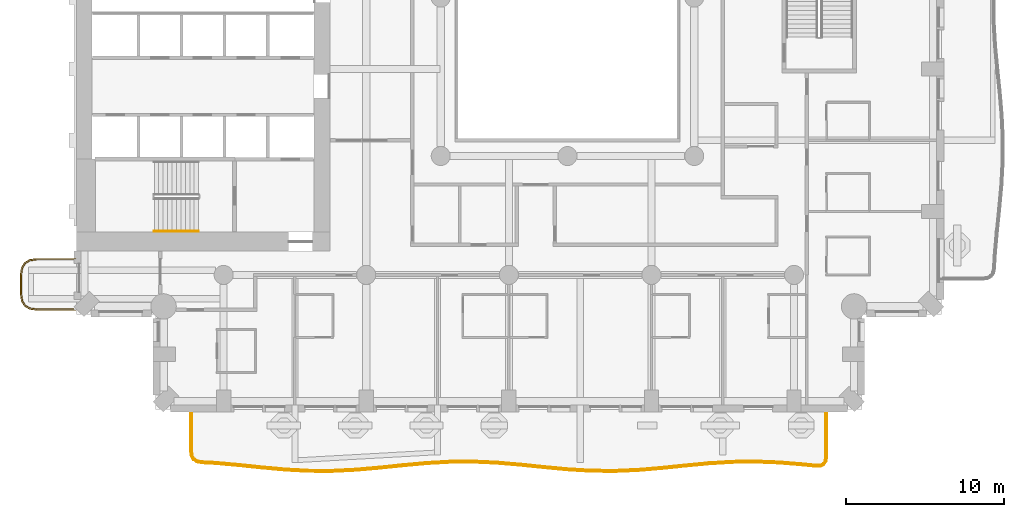
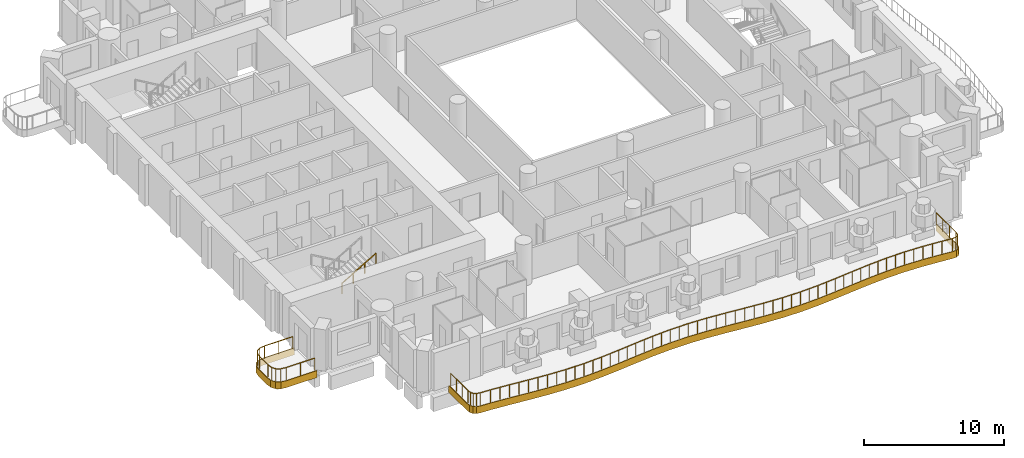
# One storey, part 13 of 20: 3 railings, 2 coverings.
"""IFC4 building model written with IfcOpenShell, lengths in metres."""

from ifc_helpers import new_model, si_unit, direction, frame, origin, origin_2d, place, context, subcontext, project, spatial, polyline, rectangle, outline, extrude, material, layer, layer_set, type_object, element, save


model = new_model("IFC4")

# Units and contexts
model_context = context("Model", 3, precision=1e-05, world=origin(), true_north=direction((0.0, 1.0)))
body_context = subcontext(model_context, "Body", "Model", "MODEL_VIEW")
ifc_project = project(units=[si_unit("LENGTHUNIT", "METRE"), si_unit("AREAUNIT", "SQUARE_METRE"), si_unit("VOLUMEUNIT", "CUBIC_METRE"), si_unit("PLANEANGLEUNIT", "RADIAN"), si_unit("MASSUNIT", "GRAM", prefix="KILO")], contexts=[model_context])

# Site, building, storey
site_placement = place(None, origin())
site = spatial("IfcSite", under=ifc_project, at=site_placement, CompositionType="ELEMENT")
building_placement = place(site_placement, origin())
building = spatial("IfcBuilding", under=site, at=building_placement, Name="Cypress Arch Tower", CompositionType="ELEMENT")
storey_placement = place(building_placement, frame((0.0, 0.0, 87.89990234375)))
storey = spatial("IfcBuildingStorey", under=building, at=storey_placement, Name="L16", CompositionType="ELEMENT", Elevation=87.89990234375)

# Coverings
ifc_material_1 = material(Name="White powder-coated aluminium fascia", Category="aluminium")
ifc_layer = layer(ifc_material_1, 0.050048828125)
ifc_layer_set = layer_set([ifc_layer], Name="Balcony fascia BF50")
covering_type = type_object("IfcCoveringType", Name="Balcony fascia BF50", PredefinedType="CLADDING", material=ifc_layer_set)
covering_1_placement = place(storey_placement, frame((0.0, 0.0, -0.599853515625)))
element("IfcCovering", 1, at=covering_1_placement, inside=storey, type_object=covering_type, Name="Balcony fascia L16-A00W1", PredefinedType="CLADDING", context=body_context, shape_type="SweptSolid", body=[
    extrude(outline(polyline([(-32.503662109375, -19.75), (-32.95458984375, -19.685546875), (-33.286376953125, -19.486328125), (-33.485595703125, -19.154541015625), (-33.550048828125, -18.70361328125), (-33.550048828125, -17.496337890625), (-33.485595703125, -17.04541015625), (-33.286376953125, -16.713623046875), (-32.95458984375, -16.514404296875), (-32.503662109375, -16.449951171875), (-30.0009765625, -16.449951171875), (-30.0009765625, -16.5), (-32.5, -16.5), (-32.9375, -16.5625), (-33.25, -16.75), (-33.4375, -17.0625), (-33.5, -17.5), (-33.5, -18.699951171875), (-33.4375, -19.137451171875), (-33.25, -19.449951171875), (-32.9375, -19.637451171875), (-32.5, -19.699951171875), (-30.0009765625, -19.699951171875), (-30.0009765625, -19.75), (-32.503662109375, -19.75)])), origin(), (0.0, 0.0, 1.0), 0.599853515625),
])
covering_2_placement = place(storey_placement, frame((0.0, 0.0, -0.599853515625)))
element("IfcCovering", 2, at=covering_2_placement, inside=storey, type_object=covering_type, Name="Balcony fascia L16-A03", PredefinedType="CLADDING", context=body_context, shape_type="SweptSolid", body=[
    extrude(outline(polyline([(17.39990234375, -28.96826171875), (17.356201171875, -29.272216796875), (17.2177734375, -29.489990234375), (16.98681640625, -29.60546875), (16.68017578125, -29.6181640625), (15.860107421875, -29.533935546875), (14.37646484375, -29.412109375), (12.893798828125, -29.352783203125), (11.4111328125, -29.37158203125), (9.927978515625, -29.463134765625), (8.44384765625, -29.60400390625), (6.958251953125, -29.7568359375), (5.4716796875, -29.8818359375), (3.984130859375, -29.94580078125), (2.496337890625, -29.931884765625), (1.00927734375, -29.84375), (-0.47705078125, -29.704833984375), (-1.962158203125, -29.55126953125), (-3.44580078125, -29.424072265625), (-4.9287109375, -29.35595703125), (-6.411376953125, -29.364990234375), (-7.89453125, -29.448974609375), (-9.37841796875, -29.585693359375), (-10.86376953125, -29.7392578125), (-12.350341796875, -29.86962890625), (-13.837646484375, -29.942138671875), (-15.325439453125, -29.937744140625), (-16.812744140625, -29.857666015625), (-18.29931640625, -29.722900390625), (-19.784423828125, -29.569091796875), (-21.268310546875, -29.436767578125), (-22.087646484375, -29.39453125), (-22.393310546875, -29.3349609375), (-22.6201171875, -29.18701171875), (-22.75634765625, -28.95263671875), (-22.800048828125, -28.64453125), (-22.800048828125, -26.0009765625), (-22.75, -26.0009765625), (-22.75, -28.64111328125), (-22.708251953125, -28.93603515625), (-22.5830078125, -29.151611328125), (-22.3740234375, -29.287841796875), (-22.081787109375, -29.3447265625), (-21.264892578125, -29.38671875), (-19.779541015625, -29.519287109375), (-18.29443359375, -29.673095703125), (-16.809326171875, -29.8076171875), (-15.323974609375, -29.8876953125), (-13.8388671875, -29.89208984375), (-12.353759765625, -29.819580078125), (-10.868408203125, -29.689453125), (-9.38330078125, -29.535888671875), (-7.898193359375, -29.399169921875), (-6.412841796875, -29.315185546875), (-4.927734375, -29.305908203125), (-3.442626953125, -29.3740234375), (-1.95751953125, -29.501708984375), (-0.47216796875, -29.655029296875), (1.012939453125, -29.7939453125), (2.498046875, -29.8818359375), (3.9833984375, -29.895751953125), (5.468505859375, -29.83203125), (6.95361328125, -29.70703125), (8.43896484375, -29.55419921875), (9.924072265625, -29.413330078125), (11.4091796875, -29.321533203125), (12.89453125, -29.302734375), (14.379638671875, -29.3623046875), (15.86474609375, -29.484130859375), (16.681640625, -29.568115234375), (16.97412109375, -29.555908203125), (17.182861328125, -29.451416015625), (17.308349609375, -29.25439453125), (17.35009765625, -28.964599609375), (17.35009765625, -26.0009765625), (17.39990234375, -26.0009765625), (17.39990234375, -28.96826171875)])), origin(), (0.0, 0.0, 1.0), 0.599853515625),
])

# Railings
ifc_material_2 = material(Name="Powder-coated steel posts and rods, 100 mm clear between rods", Category="steel")
railing_type_1 = type_object("IfcRailingType", Name="Balcony guard GR1100", PredefinedType="GUARDRAIL", material=ifc_material_2)
railing_1_placement = place(storey_placement, frame((-30.14990234375, -19.64990234375, 0.0)))
element("IfcRailing", 3, at=railing_1_placement, inside=storey, type_object=railing_type_1, Name="Balcony guard L16-A00W1", PredefinedType="GUARDRAIL", context=body_context, shape_type="SweptSolid", body=[
    extrude(rectangle(XDim=0.050048828125, YDim=0.050048828125, at=origin_2d()), frame((0.0, 0.0, 1.0751953125), z_axis=(-1.0, 0.0, 0.0), x_axis=(0.0, -1.0, 0.0)), (0.0, 0.0, 1.0), 2.346435546875),
    extrude(rectangle(XDim=0.050048828125, YDim=0.050048828125, at=origin_2d()), frame((-2.346435546875, 0.0, 1.0751953125), z_axis=(-0.989960888959, 0.141341566184, 0.0), x_axis=(-0.141341566184, -0.989960888959, 0.0)), (0.0, 0.0, 1.0), 0.428466796875),
    extrude(rectangle(XDim=0.050048828125, YDim=0.050048828125, at=origin_2d()), frame((-2.7705078125, 0.060546875, 1.0751953125), z_axis=(-0.857681904839, 0.514180659021, 0.0), x_axis=(-0.514180659021, -0.857681904839, 0.0)), (0.0, 0.0, 1.0), 0.341796875),
    extrude(rectangle(XDim=0.050048828125, YDim=0.050048828125, at=origin_2d()), frame((-3.063720703125, 0.236328125, 1.0751953125), z_axis=(-0.514180659021, 0.857681904839, 0.0), x_axis=(-0.857681904839, -0.514180659021, 0.0)), (0.0, 0.0, 1.0), 0.341796875),
    extrude(rectangle(XDim=0.050048828125, YDim=0.050048828125, at=origin_2d()), frame((-3.239501953125, 0.529541015625, 1.0751953125), z_axis=(-0.141421356237, 0.989949493661, 0.0), x_axis=(-0.989949493661, -0.141421356237, 0.0)), (0.0, 0.0, 1.0), 0.42822265625),
    extrude(rectangle(XDim=0.050048828125, YDim=0.050048828125, at=origin_2d()), frame((-3.300048828125, 0.953369140625, 1.0751953125), z_axis=(0.0, 1.0, 0.0), x_axis=(-1.0, 0.0, 0.0)), (0.0, 0.0, 1.0), 1.19287109375),
    extrude(rectangle(XDim=0.050048828125, YDim=0.050048828125, at=origin_2d()), frame((-3.300048828125, 2.146240234375, 1.0751953125), z_axis=(0.141341566184, 0.989960888959, 0.0), x_axis=(-0.989960888959, 0.141341566184, 0.0)), (0.0, 0.0, 1.0), 0.428466796875),
    extrude(rectangle(XDim=0.050048828125, YDim=0.050048828125, at=origin_2d()), frame((-3.239501953125, 2.5703125, 1.0751953125), z_axis=(0.514180659021, 0.857681904839, 0.0), x_axis=(-0.857681904839, 0.514180659021, 0.0)), (0.0, 0.0, 1.0), 0.341796875),
    extrude(rectangle(XDim=0.050048828125, YDim=0.050048828125, at=origin_2d()), frame((-3.063720703125, 2.863525390625, 1.0751953125), z_axis=(0.857681904839, 0.514180659021, 0.0), x_axis=(-0.514180659021, 0.857681904839, 0.0)), (0.0, 0.0, 1.0), 0.341796875),
    extrude(rectangle(XDim=0.050048828125, YDim=0.050048828125, at=origin_2d()), frame((-2.7705078125, 3.039306640625, 1.0751953125), z_axis=(0.989960888959, 0.141341566184, 0.0), x_axis=(-0.141341566184, 0.989960888959, 0.0)), (0.0, 0.0, 1.0), 0.428466796875),
    extrude(rectangle(XDim=0.050048828125, YDim=0.050048828125, at=origin_2d()), frame((-2.346435546875, 3.099853515625, 1.0751953125), z_axis=(1.0, 0.0, 0.0), x_axis=(0.0, 1.0, 0.0)), (0.0, 0.0, 1.0), 2.346435546875),
    extrude(rectangle(XDim=0.0400390625, YDim=0.0400390625, at=origin_2d()), origin(), (0.0, 0.0, 1.0), 1.050048828125),
    extrude(rectangle(XDim=0.0400390625, YDim=0.0400390625, at=origin_2d()), frame((-1.17333984375, 0.0, 0.0)), (0.0, 0.0, 1.0), 1.050048828125),
    extrude(rectangle(XDim=0.0400390625, YDim=0.0400390625, at=origin_2d()), frame((-2.346435546875, 0.0, 0.0)), (0.0, 0.0, 1.0), 1.050048828125),
    extrude(rectangle(XDim=0.0400390625, YDim=0.0400390625, at=origin_2d()), frame((-2.7705078125, 0.060546875, 0.0)), (0.0, 0.0, 1.0), 1.050048828125),
    extrude(rectangle(XDim=0.0400390625, YDim=0.0400390625, at=origin_2d()), frame((-3.063720703125, 0.236328125, 0.0)), (0.0, 0.0, 1.0), 1.050048828125),
    extrude(rectangle(XDim=0.0400390625, YDim=0.0400390625, at=origin_2d()), frame((-3.239501953125, 0.529541015625, 0.0)), (0.0, 0.0, 1.0), 1.050048828125),
    extrude(rectangle(XDim=0.0400390625, YDim=0.0400390625, at=origin_2d()), frame((-3.300048828125, 0.953369140625, 0.0)), (0.0, 0.0, 1.0), 1.050048828125),
    extrude(rectangle(XDim=0.0400390625, YDim=0.0400390625, at=origin_2d()), frame((-3.300048828125, 2.146240234375, 0.0)), (0.0, 0.0, 1.0), 1.050048828125),
    extrude(rectangle(XDim=0.0400390625, YDim=0.0400390625, at=origin_2d()), frame((-3.239501953125, 2.5703125, 0.0)), (0.0, 0.0, 1.0), 1.050048828125),
    extrude(rectangle(XDim=0.0400390625, YDim=0.0400390625, at=origin_2d()), frame((-3.063720703125, 2.863525390625, 0.0)), (0.0, 0.0, 1.0), 1.050048828125),
    extrude(rectangle(XDim=0.0400390625, YDim=0.0400390625, at=origin_2d()), frame((-2.7705078125, 3.039306640625, 0.0)), (0.0, 0.0, 1.0), 1.050048828125),
    extrude(rectangle(XDim=0.0400390625, YDim=0.0400390625, at=origin_2d()), frame((-2.346435546875, 3.099853515625, 0.0)), (0.0, 0.0, 1.0), 1.050048828125),
    extrude(rectangle(XDim=0.0400390625, YDim=0.0400390625, at=origin_2d()), frame((-1.17333984375, 3.099853515625, 0.0)), (0.0, 0.0, 1.0), 1.050048828125),
    extrude(rectangle(XDim=0.0400390625, YDim=0.0400390625, at=origin_2d()), frame((0.0, 3.099853515625, 0.0)), (0.0, 0.0, 1.0), 1.050048828125),
])
railing_2_placement = place(storey_placement, frame((17.300048828125, -26.14990234375, 0.0)))
element("IfcRailing", 4, at=railing_2_placement, inside=storey, type_object=railing_type_1, Name="Balcony guard L16-A03", PredefinedType="GUARDRAIL", context=body_context, shape_type="SweptSolid", body=[
    extrude(rectangle(XDim=0.050048828125, YDim=0.050048828125, at=origin_2d()), frame((0.0, 0.0, 1.0751953125), z_axis=(0.0, -1.0, 0.0), x_axis=(1.0, 0.0, 0.0)), (0.0, 0.0, 1.0), 2.811279296875),
    extrude(rectangle(XDim=0.050048828125, YDim=0.050048828125, at=origin_2d()), frame((0.0, -2.811279296875, 1.0751953125), z_axis=(-0.143018061021, -0.98972007872, 0.0), x_axis=(0.98972007872, -0.143018061021, 0.0)), (0.0, 0.0, 1.0), 0.2783203125),
    extrude(rectangle(XDim=0.050048828125, YDim=0.050048828125, at=origin_2d()), frame((-0.039794921875, -3.086669921875, 1.0751953125), z_axis=(-0.536497284338, -0.843902046388, 0.0), x_axis=(0.843902046388, -0.536497284338, 0.0)), (0.0, 0.0, 1.0), 0.208984375),
    extrude(rectangle(XDim=0.050048828125, YDim=0.050048828125, at=origin_2d()), frame((-0.15185546875, -3.262939453125, 1.0751953125), z_axis=(-0.893959883932, -0.448146991423, 0.0), x_axis=(0.448146991423, -0.893959883932, 0.0)), (0.0, 0.0, 1.0), 0.209228515625),
    extrude(rectangle(XDim=0.050048828125, YDim=0.050048828125, at=origin_2d()), frame((-0.3388671875, -3.356689453125, 1.0751953125), z_axis=(-0.999185469505, -0.040353407899, 0.0), x_axis=(0.040353407899, -0.999185469505, 0.0)), (0.0, 0.0, 1.0), 0.2783203125),
    extrude(rectangle(XDim=0.050048828125, YDim=0.050048828125, at=origin_2d()), frame((-0.616943359375, -3.367919921875, 1.0751953125), z_axis=(-0.994776777125, 0.102074304763, 0.0), x_axis=(-0.102074304763, -0.994776777125, 0.0)), (0.0, 0.0, 1.0), 0.818115234375),
    extrude(rectangle(XDim=0.050048828125, YDim=0.050048828125, at=origin_2d()), frame((-1.4306640625, -3.284423828125, 1.0751953125), z_axis=(-0.996646590477, 0.081826485261, 0.0), x_axis=(-0.081826485261, -0.996646590477, 0.0)), (0.0, 0.0, 1.0), 1.49169921875),
    extrude(rectangle(XDim=0.050048828125, YDim=0.050048828125, at=origin_2d()), frame((-2.91748046875, -3.162353515625, 1.0751953125), z_axis=(-0.999205667204, 0.039850152163, 0.0), x_axis=(-0.039850152163, -0.999205667204, 0.0)), (0.0, 0.0, 1.0), 1.48876953125),
    extrude(rectangle(XDim=0.050048828125, YDim=0.050048828125, at=origin_2d()), frame((-4.405029296875, -3.10302734375, 1.0751953125), z_axis=(-0.999922217095, -0.012472359839, 0.0), x_axis=(0.012472359839, -0.999922217095, 0.0)), (0.0, 0.0, 1.0), 1.487548828125),
    extrude(rectangle(XDim=0.050048828125, YDim=0.050048828125, at=origin_2d()), frame((-5.892578125, -3.12158203125, 1.0751953125), z_axis=(-0.998090640564, -0.061766278971, 0.0), x_axis=(0.061766278971, -0.998090640564, 0.0)), (0.0, 0.0, 1.0), 1.490234375),
    extrude(rectangle(XDim=0.050048828125, YDim=0.050048828125, at=origin_2d()), frame((-7.3798828125, -3.213623046875, 1.0751953125), z_axis=(-0.995537273942, -0.094369148524, 0.0), x_axis=(0.094369148524, -0.995537273942, 0.0)), (0.0, 0.0, 1.0), 1.49267578125),
    extrude(rectangle(XDim=0.050048828125, YDim=0.050048828125, at=origin_2d()), frame((-8.865966796875, -3.3544921875, 1.0751953125), z_axis=(-0.994729817654, -0.10253092153, 0.0), x_axis=(0.10253092153, -0.994729817654, 0.0)), (0.0, 0.0, 1.0), 1.492919921875),
    extrude(rectangle(XDim=0.050048828125, YDim=0.050048828125, at=origin_2d()), frame((-10.35107421875, -3.507568359375, 1.0751953125), z_axis=(-0.996496959309, -0.083629002674, 0.0), x_axis=(0.083629002674, -0.996496959309, 0.0)), (0.0, 0.0, 1.0), 1.48876953125),
    extrude(rectangle(XDim=0.050048828125, YDim=0.050048828125, at=origin_2d()), frame((-11.834716796875, -3.632080078125, 1.0751953125), z_axis=(-0.99907806451, -0.042930420619, 0.0), x_axis=(0.042930420619, -0.99907806451, 0.0)), (0.0, 0.0, 1.0), 1.484375),
    extrude(rectangle(XDim=0.050048828125, YDim=0.050048828125, at=origin_2d()), frame((-13.317626953125, -3.69580078125, 1.0751953125), z_axis=(-0.999955956233, 0.00938539264, 0.0), x_axis=(-0.00938539264, -0.999955956233, 0.0)), (0.0, 0.0, 1.0), 1.482666015625),
    extrude(rectangle(XDim=0.050048828125, YDim=0.050048828125, at=origin_2d()), frame((-14.80029296875, -3.681884765625, 1.0751953125), z_axis=(-0.998248205852, 0.059165188361, 0.0), x_axis=(-0.059165188361, -0.998248205852, 0.0)), (0.0, 0.0, 1.0), 1.485595703125),
    extrude(rectangle(XDim=0.050048828125, YDim=0.050048828125, at=origin_2d()), frame((-16.283203125, -3.593994140625, 1.0751953125), z_axis=(-0.995663193522, 0.09303120479, 0.0), x_axis=(-0.09303120479, -0.995663193522, 0.0)), (0.0, 0.0, 1.0), 1.490478515625),
    extrude(rectangle(XDim=0.050048828125, YDim=0.050048828125, at=origin_2d()), frame((-17.767333984375, -3.455322265625, 1.0751953125), z_axis=(-0.99471485071, 0.10267602338, 0.0), x_axis=(-0.10267602338, -0.99471485071, 0.0)), (0.0, 0.0, 1.0), 1.4931640625),
    extrude(rectangle(XDim=0.050048828125, YDim=0.050048828125, at=origin_2d()), frame((-19.252685546875, -3.302001953125, 1.0751953125), z_axis=(-0.996331517061, 0.085577497688, 0.0), x_axis=(-0.085577497688, -0.996331517061, 0.0)), (0.0, 0.0, 1.0), 1.491943359375),
    extrude(rectangle(XDim=0.050048828125, YDim=0.050048828125, at=origin_2d()), frame((-20.7392578125, -3.17431640625, 1.0751953125), z_axis=(-0.998945767218, 0.045905927264, 0.0), x_axis=(-0.045905927264, -0.998945767218, 0.0)), (0.0, 0.0, 1.0), 1.489013671875),
    extrude(rectangle(XDim=0.050048828125, YDim=0.050048828125, at=origin_2d()), frame((-22.226806640625, -3.10595703125, 1.0751953125), z_axis=(-0.999980558954, -0.006235520387, 0.0), x_axis=(0.006235520387, -0.999980558954, 0.0)), (0.0, 0.0, 1.0), 1.48779296875),
    extrude(rectangle(XDim=0.050048828125, YDim=0.050048828125, at=origin_2d()), frame((-23.714599609375, -3.115234375, 1.0751953125), z_axis=(-0.998400275103, -0.056541053006, 0.0), x_axis=(0.056541053006, -0.998400275103, 0.0)), (0.0, 0.0, 1.0), 1.48974609375),
    extrude(rectangle(XDim=0.050048828125, YDim=0.050048828125, at=origin_2d()), frame((-25.201904296875, -3.199462890625, 1.0751953125), z_axis=(-0.99579610902, -0.091597539595, 0.0), x_axis=(0.091597539595, -0.99579610902, 0.0)), (0.0, 0.0, 1.0), 1.49267578125),
    extrude(rectangle(XDim=0.050048828125, YDim=0.050048828125, at=origin_2d()), frame((-26.688232421875, -3.336181640625, 1.0751953125), z_axis=(-0.994679667362, -0.103016306171, 0.0), x_axis=(0.103016306171, -0.994679667362, 0.0)), (0.0, 0.0, 1.0), 1.4931640625),
    extrude(rectangle(XDim=0.050048828125, YDim=0.050048828125, at=origin_2d()), frame((-28.17333984375, -3.489990234375, 1.0751953125), z_axis=(-0.996191226422, -0.087195415014, 0.0), x_axis=(0.087195415014, -0.996191226422, 0.0)), (0.0, 0.0, 1.0), 1.489501953125),
    extrude(rectangle(XDim=0.050048828125, YDim=0.050048828125, at=origin_2d()), frame((-29.6572265625, -3.619873046875, 1.0751953125), z_axis=(-0.998814692157, -0.048674538834, 0.0), x_axis=(0.048674538834, -0.998814692157, 0.0)), (0.0, 0.0, 1.0), 1.484619140625),
    extrude(rectangle(XDim=0.050048828125, YDim=0.050048828125, at=origin_2d()), frame((-31.14013671875, -3.692138671875, 1.0751953125), z_axis=(-0.999995607562, 0.002963925726, 0.0), x_axis=(-0.002963925726, -0.999995607562, 0.0)), (0.0, 0.0, 1.0), 1.482666015625),
    extrude(rectangle(XDim=0.050048828125, YDim=0.050048828125, at=origin_2d()), frame((-32.622802734375, -3.687744140625, 1.0751953125), z_axis=(-0.998553983849, 0.053758174633, 0.0), x_axis=(-0.053758174633, -0.998553983849, 0.0)), (0.0, 0.0, 1.0), 1.485107421875),
    extrude(rectangle(XDim=0.050048828125, YDim=0.050048828125, at=origin_2d()), frame((-34.105712890625, -3.60791015625, 1.0751953125), z_axis=(-0.995916007174, 0.090284587027, 0.0), x_axis=(-0.090284587027, -0.995916007174, 0.0)), (0.0, 0.0, 1.0), 1.489990234375),
    extrude(rectangle(XDim=0.050048828125, YDim=0.050048828125, at=origin_2d()), frame((-35.589599609375, -3.473388671875, 1.0751953125), z_axis=(-0.99468140225, 0.102999553487, 0.0), x_axis=(-0.102999553487, -0.99468140225, 0.0)), (0.0, 0.0, 1.0), 1.493408203125),
    extrude(rectangle(XDim=0.050048828125, YDim=0.050048828125, at=origin_2d()), frame((-37.074951171875, -3.319580078125, 1.0751953125), z_axis=(-0.996045982329, 0.088839186663, 0.0), x_axis=(-0.088839186663, -0.996045982329, 0.0)), (0.0, 0.0, 1.0), 1.4921875),
    extrude(rectangle(XDim=0.050048828125, YDim=0.050048828125, at=origin_2d()), frame((-38.561279296875, -3.18701171875, 1.0751953125), z_axis=(-0.998673491608, 0.051490359879, 0.0), x_axis=(-0.051490359879, -0.998673491608, 0.0)), (0.0, 0.0, 1.0), 0.8154296875),
    extrude(rectangle(XDim=0.050048828125, YDim=0.050048828125, at=origin_2d()), frame((-39.375732421875, -3.14501953125, 1.0751953125), z_axis=(-0.981525976038, 0.191328927147, 0.0), x_axis=(-0.191328927147, -0.981525976038, 0.0)), (0.0, 0.0, 1.0), 0.28466796875),
    extrude(rectangle(XDim=0.050048828125, YDim=0.050048828125, at=origin_2d()), frame((-39.655029296875, -3.090576171875, 1.0751953125), z_axis=(-0.837781277944, 0.54600598012, 0.0), x_axis=(-0.54600598012, -0.837781277944, 0.0)), (0.0, 0.0, 1.0), 0.2275390625),
    extrude(rectangle(XDim=0.050048828125, YDim=0.050048828125, at=origin_2d()), frame((-39.845703125, -2.96630859375, 1.0751953125), z_axis=(-0.502471480426, 0.864593784016, 0.0), x_axis=(-0.864593784016, -0.502471480426, 0.0)), (0.0, 0.0, 1.0), 0.227783203125),
    extrude(rectangle(XDim=0.050048828125, YDim=0.050048828125, at=origin_2d()), frame((-39.960205078125, -2.769287109375, 1.0751953125), z_axis=(-0.139859558217, 0.990171350815, 0.0), x_axis=(-0.990171350815, -0.139859558217, 0.0)), (0.0, 0.0, 1.0), 0.284423828125),
    extrude(rectangle(XDim=0.050048828125, YDim=0.050048828125, at=origin_2d()), frame((-40.0, -2.487548828125, 1.0751953125), z_axis=(0.0, 1.0, 0.0), x_axis=(-1.0, 0.0, 0.0)), (0.0, 0.0, 1.0), 2.487548828125),
    extrude(rectangle(XDim=0.0400390625, YDim=0.0400390625, at=origin_2d()), origin(), (0.0, 0.0, 1.0), 1.050048828125),
    extrude(rectangle(XDim=0.0400390625, YDim=0.0400390625, at=origin_2d()), frame((0.0, -0.93701171875, 0.0)), (0.0, 0.0, 1.0), 1.050048828125),
    extrude(rectangle(XDim=0.0400390625, YDim=0.0400390625, at=origin_2d()), frame((0.0, -1.874267578125, 0.0)), (0.0, 0.0, 1.0), 1.050048828125),
    extrude(rectangle(XDim=0.0400390625, YDim=0.0400390625, at=origin_2d()), frame((0.0, -2.811279296875, 0.0)), (0.0, 0.0, 1.0), 1.050048828125),
    extrude(rectangle(XDim=0.0400390625, YDim=0.0400390625, at=origin_2d()), frame((-0.039794921875, -3.086669921875, 0.0)), (0.0, 0.0, 1.0), 1.050048828125),
    extrude(rectangle(XDim=0.0400390625, YDim=0.0400390625, at=origin_2d()), frame((-0.15185546875, -3.262939453125, 0.0)), (0.0, 0.0, 1.0), 1.050048828125),
    extrude(rectangle(XDim=0.0400390625, YDim=0.0400390625, at=origin_2d()), frame((-0.3388671875, -3.356689453125, 0.0)), (0.0, 0.0, 1.0), 1.050048828125),
    extrude(rectangle(XDim=0.0400390625, YDim=0.0400390625, at=origin_2d()), frame((-0.616943359375, -3.367919921875, 0.0)), (0.0, 0.0, 1.0), 1.050048828125),
    extrude(rectangle(XDim=0.0400390625, YDim=0.0400390625, at=origin_2d()), frame((-1.4306640625, -3.284423828125, 0.0)), (0.0, 0.0, 1.0), 1.050048828125),
    extrude(rectangle(XDim=0.0400390625, YDim=0.0400390625, at=origin_2d()), frame((-2.174072265625, -3.223388671875, 0.0)), (0.0, 0.0, 1.0), 1.050048828125),
    extrude(rectangle(XDim=0.0400390625, YDim=0.0400390625, at=origin_2d()), frame((-2.91748046875, -3.162353515625, 0.0)), (0.0, 0.0, 1.0), 1.050048828125),
    extrude(rectangle(XDim=0.0400390625, YDim=0.0400390625, at=origin_2d()), frame((-3.6611328125, -3.1328125, 0.0)), (0.0, 0.0, 1.0), 1.050048828125),
    extrude(rectangle(XDim=0.0400390625, YDim=0.0400390625, at=origin_2d()), frame((-4.405029296875, -3.10302734375, 0.0)), (0.0, 0.0, 1.0), 1.050048828125),
    extrude(rectangle(XDim=0.0400390625, YDim=0.0400390625, at=origin_2d()), frame((-5.14892578125, -3.1123046875, 0.0)), (0.0, 0.0, 1.0), 1.050048828125),
    extrude(rectangle(XDim=0.0400390625, YDim=0.0400390625, at=origin_2d()), frame((-5.892578125, -3.12158203125, 0.0)), (0.0, 0.0, 1.0), 1.050048828125),
    extrude(rectangle(XDim=0.0400390625, YDim=0.0400390625, at=origin_2d()), frame((-6.63623046875, -3.16748046875, 0.0)), (0.0, 0.0, 1.0), 1.050048828125),
    extrude(rectangle(XDim=0.0400390625, YDim=0.0400390625, at=origin_2d()), frame((-7.3798828125, -3.213623046875, 0.0)), (0.0, 0.0, 1.0), 1.050048828125),
    extrude(rectangle(XDim=0.0400390625, YDim=0.0400390625, at=origin_2d()), frame((-8.123046875, -3.2841796875, 0.0)), (0.0, 0.0, 1.0), 1.050048828125),
    extrude(rectangle(XDim=0.0400390625, YDim=0.0400390625, at=origin_2d()), frame((-8.865966796875, -3.3544921875, 0.0)), (0.0, 0.0, 1.0), 1.050048828125),
    extrude(rectangle(XDim=0.0400390625, YDim=0.0400390625, at=origin_2d()), frame((-9.6083984375, -3.43115234375, 0.0)), (0.0, 0.0, 1.0), 1.050048828125),
    extrude(rectangle(XDim=0.0400390625, YDim=0.0400390625, at=origin_2d()), frame((-10.35107421875, -3.507568359375, 0.0)), (0.0, 0.0, 1.0), 1.050048828125),
    extrude(rectangle(XDim=0.0400390625, YDim=0.0400390625, at=origin_2d()), frame((-11.0927734375, -3.56982421875, 0.0)), (0.0, 0.0, 1.0), 1.050048828125),
    extrude(rectangle(XDim=0.0400390625, YDim=0.0400390625, at=origin_2d()), frame((-11.834716796875, -3.632080078125, 0.0)), (0.0, 0.0, 1.0), 1.050048828125),
    extrude(rectangle(XDim=0.0400390625, YDim=0.0400390625, at=origin_2d()), frame((-12.576171875, -3.6640625, 0.0)), (0.0, 0.0, 1.0), 1.050048828125),
    extrude(rectangle(XDim=0.0400390625, YDim=0.0400390625, at=origin_2d()), frame((-13.317626953125, -3.69580078125, 0.0)), (0.0, 0.0, 1.0), 1.050048828125),
    extrude(rectangle(XDim=0.0400390625, YDim=0.0400390625, at=origin_2d()), frame((-14.05908203125, -3.68896484375, 0.0)), (0.0, 0.0, 1.0), 1.050048828125),
    extrude(rectangle(XDim=0.0400390625, YDim=0.0400390625, at=origin_2d()), frame((-14.80029296875, -3.681884765625, 0.0)), (0.0, 0.0, 1.0), 1.050048828125),
    extrude(rectangle(XDim=0.0400390625, YDim=0.0400390625, at=origin_2d()), frame((-15.541748046875, -3.637939453125, 0.0)), (0.0, 0.0, 1.0), 1.050048828125),
    extrude(rectangle(XDim=0.0400390625, YDim=0.0400390625, at=origin_2d()), frame((-16.283203125, -3.593994140625, 0.0)), (0.0, 0.0, 1.0), 1.050048828125),
    extrude(rectangle(XDim=0.0400390625, YDim=0.0400390625, at=origin_2d()), frame((-17.025390625, -3.524658203125, 0.0)), (0.0, 0.0, 1.0), 1.050048828125),
    extrude(rectangle(XDim=0.0400390625, YDim=0.0400390625, at=origin_2d()), frame((-17.767333984375, -3.455322265625, 0.0)), (0.0, 0.0, 1.0), 1.050048828125),
    extrude(rectangle(XDim=0.0400390625, YDim=0.0400390625, at=origin_2d()), frame((-18.510009765625, -3.378662109375, 0.0)), (0.0, 0.0, 1.0), 1.050048828125),
    extrude(rectangle(XDim=0.0400390625, YDim=0.0400390625, at=origin_2d()), frame((-19.252685546875, -3.302001953125, 0.0)), (0.0, 0.0, 1.0), 1.050048828125),
    extrude(rectangle(XDim=0.0400390625, YDim=0.0400390625, at=origin_2d()), frame((-19.99609375, -3.23828125, 0.0)), (0.0, 0.0, 1.0), 1.050048828125),
    extrude(rectangle(XDim=0.0400390625, YDim=0.0400390625, at=origin_2d()), frame((-20.7392578125, -3.17431640625, 0.0)), (0.0, 0.0, 1.0), 1.050048828125),
    extrude(rectangle(XDim=0.0400390625, YDim=0.0400390625, at=origin_2d()), frame((-21.48291015625, -3.14013671875, 0.0)), (0.0, 0.0, 1.0), 1.050048828125),
    extrude(rectangle(XDim=0.0400390625, YDim=0.0400390625, at=origin_2d()), frame((-22.226806640625, -3.10595703125, 0.0)), (0.0, 0.0, 1.0), 1.050048828125),
    extrude(rectangle(XDim=0.0400390625, YDim=0.0400390625, at=origin_2d()), frame((-22.970703125, -3.110595703125, 0.0)), (0.0, 0.0, 1.0), 1.050048828125),
    extrude(rectangle(XDim=0.0400390625, YDim=0.0400390625, at=origin_2d()), frame((-23.714599609375, -3.115234375, 0.0)), (0.0, 0.0, 1.0), 1.050048828125),
    extrude(rectangle(XDim=0.0400390625, YDim=0.0400390625, at=origin_2d()), frame((-24.458251953125, -3.1572265625, 0.0)), (0.0, 0.0, 1.0), 1.050048828125),
    extrude(rectangle(XDim=0.0400390625, YDim=0.0400390625, at=origin_2d()), frame((-25.201904296875, -3.199462890625, 0.0)), (0.0, 0.0, 1.0), 1.050048828125),
    extrude(rectangle(XDim=0.0400390625, YDim=0.0400390625, at=origin_2d()), frame((-25.945068359375, -3.267822265625, 0.0)), (0.0, 0.0, 1.0), 1.050048828125),
    extrude(rectangle(XDim=0.0400390625, YDim=0.0400390625, at=origin_2d()), frame((-26.688232421875, -3.336181640625, 0.0)), (0.0, 0.0, 1.0), 1.050048828125),
    extrude(rectangle(XDim=0.0400390625, YDim=0.0400390625, at=origin_2d()), frame((-27.4306640625, -3.4130859375, 0.0)), (0.0, 0.0, 1.0), 1.050048828125),
    extrude(rectangle(XDim=0.0400390625, YDim=0.0400390625, at=origin_2d()), frame((-28.17333984375, -3.489990234375, 0.0)), (0.0, 0.0, 1.0), 1.050048828125),
    extrude(rectangle(XDim=0.0400390625, YDim=0.0400390625, at=origin_2d()), frame((-28.915283203125, -3.554931640625, 0.0)), (0.0, 0.0, 1.0), 1.050048828125),
    extrude(rectangle(XDim=0.0400390625, YDim=0.0400390625, at=origin_2d()), frame((-29.6572265625, -3.619873046875, 0.0)), (0.0, 0.0, 1.0), 1.050048828125),
    extrude(rectangle(XDim=0.0400390625, YDim=0.0400390625, at=origin_2d()), frame((-30.398681640625, -3.656005859375, 0.0)), (0.0, 0.0, 1.0), 1.050048828125),
    extrude(rectangle(XDim=0.0400390625, YDim=0.0400390625, at=origin_2d()), frame((-31.14013671875, -3.692138671875, 0.0)), (0.0, 0.0, 1.0), 1.050048828125),
    extrude(rectangle(XDim=0.0400390625, YDim=0.0400390625, at=origin_2d()), frame((-31.88134765625, -3.68994140625, 0.0)), (0.0, 0.0, 1.0), 1.050048828125),
    extrude(rectangle(XDim=0.0400390625, YDim=0.0400390625, at=origin_2d()), frame((-32.622802734375, -3.687744140625, 0.0)), (0.0, 0.0, 1.0), 1.050048828125),
    extrude(rectangle(XDim=0.0400390625, YDim=0.0400390625, at=origin_2d()), frame((-33.3642578125, -3.64794921875, 0.0)), (0.0, 0.0, 1.0), 1.050048828125),
    extrude(rectangle(XDim=0.0400390625, YDim=0.0400390625, at=origin_2d()), frame((-34.105712890625, -3.60791015625, 0.0)), (0.0, 0.0, 1.0), 1.050048828125),
    extrude(rectangle(XDim=0.0400390625, YDim=0.0400390625, at=origin_2d()), frame((-34.84765625, -3.54052734375, 0.0)), (0.0, 0.0, 1.0), 1.050048828125),
    extrude(rectangle(XDim=0.0400390625, YDim=0.0400390625, at=origin_2d()), frame((-35.589599609375, -3.473388671875, 0.0)), (0.0, 0.0, 1.0), 1.050048828125),
    extrude(rectangle(XDim=0.0400390625, YDim=0.0400390625, at=origin_2d()), frame((-36.332275390625, -3.396484375, 0.0)), (0.0, 0.0, 1.0), 1.050048828125),
    extrude(rectangle(XDim=0.0400390625, YDim=0.0400390625, at=origin_2d()), frame((-37.074951171875, -3.319580078125, 0.0)), (0.0, 0.0, 1.0), 1.050048828125),
    extrude(rectangle(XDim=0.0400390625, YDim=0.0400390625, at=origin_2d()), frame((-37.818115234375, -3.25341796875, 0.0)), (0.0, 0.0, 1.0), 1.050048828125),
    extrude(rectangle(XDim=0.0400390625, YDim=0.0400390625, at=origin_2d()), frame((-38.561279296875, -3.18701171875, 0.0)), (0.0, 0.0, 1.0), 1.050048828125),
    extrude(rectangle(XDim=0.0400390625, YDim=0.0400390625, at=origin_2d()), frame((-39.375732421875, -3.14501953125, 0.0)), (0.0, 0.0, 1.0), 1.050048828125),
    extrude(rectangle(XDim=0.0400390625, YDim=0.0400390625, at=origin_2d()), frame((-39.655029296875, -3.090576171875, 0.0)), (0.0, 0.0, 1.0), 1.050048828125),
    extrude(rectangle(XDim=0.0400390625, YDim=0.0400390625, at=origin_2d()), frame((-39.845703125, -2.96630859375, 0.0)), (0.0, 0.0, 1.0), 1.050048828125),
    extrude(rectangle(XDim=0.0400390625, YDim=0.0400390625, at=origin_2d()), frame((-39.960205078125, -2.769287109375, 0.0)), (0.0, 0.0, 1.0), 1.050048828125),
    extrude(rectangle(XDim=0.0400390625, YDim=0.0400390625, at=origin_2d()), frame((-40.0, -2.487548828125, 0.0)), (0.0, 0.0, 1.0), 1.050048828125),
    extrude(rectangle(XDim=0.0400390625, YDim=0.0400390625, at=origin_2d()), frame((-40.0, -1.658447265625, 0.0)), (0.0, 0.0, 1.0), 1.050048828125),
    extrude(rectangle(XDim=0.0400390625, YDim=0.0400390625, at=origin_2d()), frame((-40.0, -0.8291015625, 0.0)), (0.0, 0.0, 1.0), 1.050048828125),
    extrude(rectangle(XDim=0.0400390625, YDim=0.0400390625, at=origin_2d()), frame((-40.0, 0.0, 0.0)), (0.0, 0.0, 1.0), 1.050048828125),
])
ifc_material_3 = material(Name="Black powder-coated steel square bar 48 mm", Category="steel")
railing_type_2 = type_object("IfcRailingType", Name="Stair handrail HR1", PredefinedType="HANDRAIL", material=ifc_material_3)
railing_3_placement = place(storey_placement, frame((-25.074951171875, -14.75, 1.963623046875)))
element("IfcRailing", 5, at=railing_3_placement, inside=storey, type_object=railing_type_2, Name="L16 A stair handrail 2", PredefinedType="HANDRAIL", context=body_context, shape_type="SweptSolid", body=[
    extrude(rectangle(XDim=0.048095703125, YDim=0.048095703125, at=origin_2d()), frame((0.0, 0.0, 0.8759765625), z_axis=(0.863360870873, 0.0, 0.504586966384), x_axis=(0.0, 1.0, 0.0)), (0.0, 0.0, 1.0), 3.2431640625),
    extrude(rectangle(XDim=0.0419921875, YDim=0.0419921875, at=origin_2d()), origin(), (0.0, 0.0, 1.0), 0.851806640625),
    extrude(rectangle(XDim=0.0419921875, YDim=0.0419921875, at=origin_2d()), frame((0.933349609375, 0.0, 0.54541015625)), (0.0, 0.0, 1.0), 0.851806640625),
    extrude(rectangle(XDim=0.0419921875, YDim=0.0419921875, at=origin_2d()), frame((1.86669921875, 0.0, 1.091064453125)), (0.0, 0.0, 1.0), 0.851806640625),
    extrude(rectangle(XDim=0.0419921875, YDim=0.0419921875, at=origin_2d()), frame((2.800048828125, 0.0, 1.636474609375)), (0.0, 0.0, 1.0), 0.851806640625),
])

save(model, "model.ifc")
